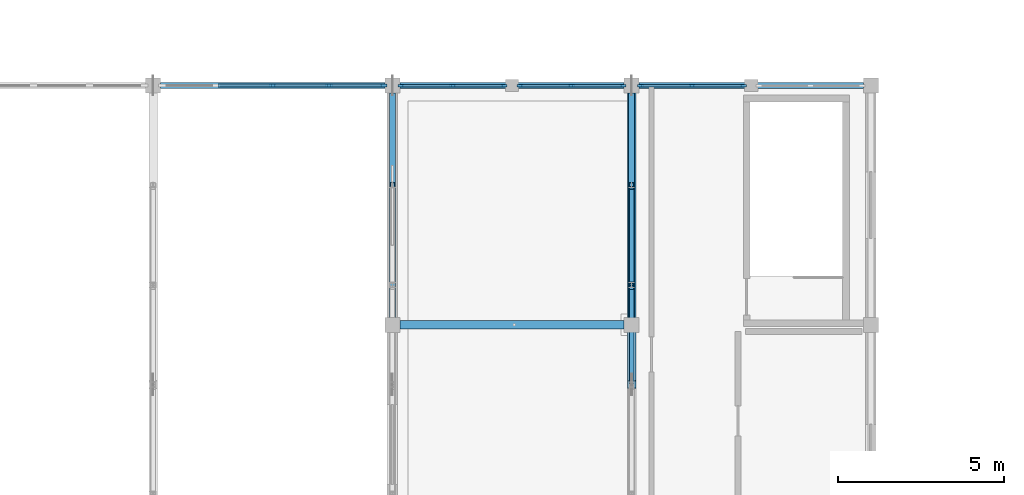
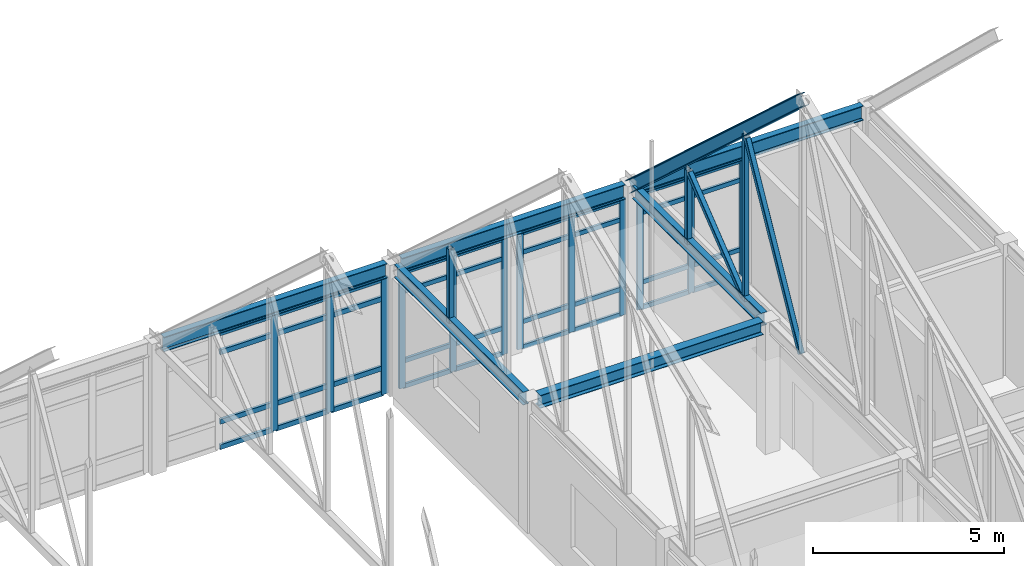
# One storey, part 49 of 136: 54 members, 6 beams, 4 elements without a shape of their own.
"""IFC4 building model written with IfcOpenShell, lengths in metres."""

from ifc_helpers import new_model, si_unit, direction, frame, origin, origin_2d, place, context, subcontext, project, spatial, rectangle, hollow_rectangle, i_section, extrude, material, layer, layer_set, material_profile, profile_set, type_object, element, aggregate, save


model = new_model("IFC4")

# Units and contexts
model_context = context("Model", 3, precision=1e-05, world=origin(), true_north=direction((0.0, 1.0)))
body_context = subcontext(model_context, "Body", "Model", "MODEL_VIEW")
ifc_project = project(units=[si_unit("LENGTHUNIT", "METRE"), si_unit("AREAUNIT", "SQUARE_METRE"), si_unit("VOLUMEUNIT", "CUBIC_METRE"), si_unit("PLANEANGLEUNIT", "RADIAN"), si_unit("MASSUNIT", "GRAM", prefix="KILO")], contexts=[model_context])

# Site, building, storey
site_placement = place(None, origin())
site = spatial("IfcSite", under=ifc_project, at=site_placement, CompositionType="ELEMENT")
building_placement = place(site_placement, origin())
building = spatial("IfcBuilding", under=site, at=building_placement, Name="Koriwan Promenade Central Fire Station", CompositionType="ELEMENT")
storey_placement = place(building_placement, frame((0.0, 0.0, 5.39990234375)))
storey = spatial("IfcBuildingStorey", under=building, at=storey_placement, Name="L01", CompositionType="ELEMENT", Elevation=5.39990234375)

# Curtain wall, members
ifc_material_1 = material(Name="Aluminium EN AW-6063-T6 and low-E glazing", Category="aluminium")
ifc_layer_1 = layer(ifc_material_1, 0.159912109375, Name="Aluminium EN AW-6063-T6 and low-E glazing")
ifc_layer_set_1 = layer_set([ifc_layer_1], Name="Aluminium EN AW-6063-T6 and low-E glazing")
curtain_wall_type_1 = type_object("IfcCurtainWallType", Name="CurtainWall_01_317x372", PredefinedType="USERDEFINED", material=ifc_layer_set_1)
curtain_wall_1_placement = place(storey_placement, origin())
curtain_wall_1 = element("IfcCurtainWall", 1, at=curtain_wall_1_placement, inside=storey, type_object=curtain_wall_type_1, Name="V1 L01 unitised curtain wall 005", ObjectType="UNITISED CURTAIN WALL", PredefinedType="USERDEFINED")
ifc_material_2 = material(Name="Aluminium EN AW-6063-T6", Category="aluminium")
ifc_material_profile_1 = material_profile(ifc_material_2, rectangle(XDim=0.074951171875, YDim=0.179931640625, at=origin_2d()), Name="ALU-MUL-75x180")
ifc_profile_set_1 = profile_set([ifc_material_profile_1], Name="Aluminium EN AW-6063-T6")
member_type_1 = type_object("IfcMemberType", Name="CWMullion_ALU-MUL-75x180", PredefinedType="MULLION", material=ifc_profile_set_1)
member_1_placement = place(storey_placement, frame((101.0625, 72.0, 0.0), z_axis=(0.0, 0.0, 1.0), x_axis=(0.0, 1.0, 0.0)))
member_1 = element("IfcMember", 2, at=member_1_placement, type_object=member_type_1, Name="CW-01 mullion 1", PredefinedType="MULLION", context=body_context, shape_type="SweptSolid", body=[
    extrude(rectangle(XDim=0.074951171875, YDim=0.179931640625, at=origin_2d()), origin(), (0.0, 0.0, 1.0), 3.72119140625),
])
member_2_placement = place(storey_placement, frame((102.612548828125, 72.0, 0.0), z_axis=(0.0, 0.0, 1.0), x_axis=(0.0, 1.0, 0.0)))
member_2 = element("IfcMember", 3, at=member_2_placement, type_object=member_type_1, Name="CW-01 mullion 2", PredefinedType="MULLION", context=body_context, shape_type="SweptSolid", body=[
    extrude(rectangle(XDim=0.074951171875, YDim=0.179931640625, at=origin_2d()), origin(), (0.0, 0.0, 1.0), 3.72119140625),
])
member_3_placement = place(storey_placement, frame((104.16259765625, 72.0, 0.0), z_axis=(0.0, 0.0, 1.0), x_axis=(0.0, 1.0, 0.0)))
member_3 = element("IfcMember", 4, at=member_3_placement, type_object=member_type_1, Name="CW-01 mullion 3", PredefinedType="MULLION", context=body_context, shape_type="SweptSolid", body=[
    extrude(rectangle(XDim=0.074951171875, YDim=0.179931640625, at=origin_2d()), origin(), (0.0, 0.0, 1.0), 3.72119140625),
])

ifc_layer_2 = layer(ifc_material_1, 0.159912109375, Name="Aluminium EN AW-6063-T6 and low-E glazing")
ifc_layer_set_2 = layer_set([ifc_layer_2], Name="Aluminium EN AW-6063-T6 and low-E glazing")
curtain_wall_type_2 = type_object("IfcCurtainWallType", Name="CurtainWall_02_318x372", PredefinedType="USERDEFINED", material=ifc_layer_set_2)
curtain_wall_2_placement = place(storey_placement, origin())
curtain_wall_2 = element("IfcCurtainWall", 5, at=curtain_wall_2_placement, inside=storey, type_object=curtain_wall_type_2, Name="V1 L01 unitised curtain wall 006", ObjectType="UNITISED CURTAIN WALL", PredefinedType="USERDEFINED")
member_4_placement = place(storey_placement, frame((104.637451171875, 72.0, 0.0), z_axis=(0.0, 0.0, 1.0), x_axis=(0.0, 1.0, 0.0)))
member_4 = element("IfcMember", 6, at=member_4_placement, type_object=member_type_1, Name="CW-02 mullion 1", PredefinedType="MULLION", context=body_context, shape_type="SweptSolid", body=[
    extrude(rectangle(XDim=0.074951171875, YDim=0.179931640625, at=origin_2d()), origin(), (0.0, 0.0, 1.0), 3.72119140625),
])
member_5_placement = place(storey_placement, frame((106.1875, 72.0, 0.0), z_axis=(0.0, 0.0, 1.0), x_axis=(0.0, 1.0, 0.0)))
member_5 = element("IfcMember", 7, at=member_5_placement, type_object=member_type_1, Name="CW-02 mullion 2", PredefinedType="MULLION", context=body_context, shape_type="SweptSolid", body=[
    extrude(rectangle(XDim=0.074951171875, YDim=0.179931640625, at=origin_2d()), origin(), (0.0, 0.0, 1.0), 3.72119140625),
])
member_6_placement = place(storey_placement, frame((107.737548828125, 72.0, 0.0), z_axis=(0.0, 0.0, 1.0), x_axis=(0.0, 1.0, 0.0)))
member_6 = element("IfcMember", 8, at=member_6_placement, type_object=member_type_1, Name="CW-02 mullion 3", PredefinedType="MULLION", context=body_context, shape_type="SweptSolid", body=[
    extrude(rectangle(XDim=0.074951171875, YDim=0.179931640625, at=origin_2d()), origin(), (0.0, 0.0, 1.0), 3.72119140625),
])

curtain_wall_3_placement = place(storey_placement, origin())
curtain_wall_3 = element("IfcCurtainWall", 9, at=curtain_wall_3_placement, inside=storey, type_object=curtain_wall_type_2, Name="V1 L01 unitised curtain wall 007", ObjectType="UNITISED CURTAIN WALL", PredefinedType="USERDEFINED")
member_7_placement = place(storey_placement, frame((108.262451171875, 72.0, 0.0), z_axis=(0.0, 0.0, 1.0), x_axis=(0.0, 1.0, 0.0)))
member_7 = element("IfcMember", 10, at=member_7_placement, type_object=member_type_1, Name="CW-02 mullion 1", PredefinedType="MULLION", context=body_context, shape_type="SweptSolid", body=[
    extrude(rectangle(XDim=0.074951171875, YDim=0.179931640625, at=origin_2d()), origin(), (0.0, 0.0, 1.0), 3.72119140625),
])
member_8_placement = place(storey_placement, frame((109.8125, 72.0, 0.0), z_axis=(0.0, 0.0, 1.0), x_axis=(0.0, 1.0, 0.0)))
member_8 = element("IfcMember", 11, at=member_8_placement, type_object=member_type_1, Name="CW-02 mullion 2", PredefinedType="MULLION", context=body_context, shape_type="SweptSolid", body=[
    extrude(rectangle(XDim=0.074951171875, YDim=0.179931640625, at=origin_2d()), origin(), (0.0, 0.0, 1.0), 3.72119140625),
])
member_9_placement = place(storey_placement, frame((111.362548828125, 72.0, 0.0), z_axis=(0.0, 0.0, 1.0), x_axis=(0.0, 1.0, 0.0)))
member_9 = element("IfcMember", 12, at=member_9_placement, type_object=member_type_1, Name="CW-02 mullion 3", PredefinedType="MULLION", context=body_context, shape_type="SweptSolid", body=[
    extrude(rectangle(XDim=0.074951171875, YDim=0.179931640625, at=origin_2d()), origin(), (0.0, 0.0, 1.0), 3.72119140625),
])

ifc_layer_3 = layer(ifc_material_1, 0.159912109375, Name="Aluminium EN AW-6063-T6 and low-E glazing")
ifc_layer_set_3 = layer_set([ifc_layer_3], Name="Aluminium EN AW-6063-T6 and low-E glazing")
curtain_wall_type_3 = type_object("IfcCurtainWallType", Name="CurtainWall_93_675x372", PredefinedType="USERDEFINED", material=ifc_layer_set_3)
curtain_wall_4_placement = place(storey_placement, origin())
curtain_wall_4 = element("IfcCurtainWall", 13, at=curtain_wall_4_placement, inside=storey, type_object=curtain_wall_type_3, Name="V1 L01 unitised curtain wall 298", ObjectType="UNITISED CURTAIN WALL", PredefinedType="USERDEFINED")
ifc_material_profile_2 = material_profile(ifc_material_2, rectangle(XDim=0.080078125, YDim=0.2099609375, at=origin_2d()), Name="ALU-MUL-80x210")
ifc_profile_set_2 = profile_set([ifc_material_profile_2], Name="Aluminium EN AW-6063-T6")
member_type_2 = type_object("IfcMemberType", Name="CWMullion_ALU-MUL-80x210", PredefinedType="MULLION", material=ifc_profile_set_2)
member_10_placement = place(storey_placement, frame((97.199951171875, 72.0, 0.0), z_axis=(0.0, 0.0, 1.0), x_axis=(0.0, 1.0, 0.0)))
member_10 = element("IfcMember", 14, at=member_10_placement, type_object=member_type_2, Name="CW-93 mullion 3", PredefinedType="MULLION", context=body_context, shape_type="SweptSolid", body=[
    extrude(rectangle(XDim=0.080078125, YDim=0.2099609375, at=origin_2d()), origin(), (0.0, 0.0, 1.0), 3.72119140625),
])
member_11_placement = place(storey_placement, frame((98.887451171875, 72.0, 0.0), z_axis=(0.0, 0.0, 1.0), x_axis=(0.0, 1.0, 0.0)))
member_11 = element("IfcMember", 15, at=member_11_placement, type_object=member_type_2, Name="CW-93 mullion 4", PredefinedType="MULLION", context=body_context, shape_type="SweptSolid", body=[
    extrude(rectangle(XDim=0.080078125, YDim=0.2099609375, at=origin_2d()), origin(), (0.0, 0.0, 1.0), 3.72119140625),
])
member_12_placement = place(storey_placement, frame((100.534912109375, 72.0, 0.0), z_axis=(0.0, 0.0, 1.0), x_axis=(0.0, 1.0, 0.0)))
member_12 = element("IfcMember", 16, at=member_12_placement, type_object=member_type_2, Name="CW-93 mullion 5", PredefinedType="MULLION", context=body_context, shape_type="SweptSolid", body=[
    extrude(rectangle(XDim=0.080078125, YDim=0.2099609375, at=origin_2d()), origin(), (0.0, 0.0, 1.0), 3.72119140625),
])

# Member
ifc_material_profile_3 = material_profile(ifc_material_2, rectangle(XDim=0.074951171875, YDim=0.139892578125, at=origin_2d()), Name="ALU-TRN-75x140")
ifc_profile_set_3 = profile_set([ifc_material_profile_3], Name="Aluminium EN AW-6063-T6")
member_type_3 = type_object("IfcMemberType", Name="CWTransom_ALU-TRN-75x140", PredefinedType="USERDEFINED", material=ifc_profile_set_3)
member_13_placement = place(storey_placement, frame((101.10009765625, 72.0, 0.03759765625), z_axis=(1.0, 0.0, 0.0), x_axis=(0.0, 1.0, 0.0)))
member_13 = element("IfcMember", 17, at=member_13_placement, type_object=member_type_3, Name="CW-01 transom 1.1", ObjectType="TRANSOM", PredefinedType="USERDEFINED", context=body_context, shape_type="SweptSolid", body=[
    extrude(rectangle(XDim=0.074951171875, YDim=0.139892578125, at=origin_2d()), origin(), (0.0, 0.0, 1.0), 1.474853515625),
])

member_14_placement = place(storey_placement, frame((101.10009765625, 72.0, 0.85009765625), z_axis=(1.0, 0.0, 0.0), x_axis=(0.0, 1.0, 0.0)))
member_14 = element("IfcMember", 18, at=member_14_placement, type_object=member_type_3, Name="CW-01 transom 1.2", ObjectType="TRANSOM", PredefinedType="USERDEFINED", context=body_context, shape_type="SweptSolid", body=[
    extrude(rectangle(XDim=0.074951171875, YDim=0.139892578125, at=origin_2d()), origin(), (0.0, 0.0, 1.0), 1.474853515625),
])

member_15_placement = place(storey_placement, frame((101.10009765625, 72.0, 3.071044921875), z_axis=(1.0, 0.0, 0.0), x_axis=(0.0, 1.0, 0.0)))
member_15 = element("IfcMember", 19, at=member_15_placement, type_object=member_type_3, Name="CW-01 transom 1.3", ObjectType="TRANSOM", PredefinedType="USERDEFINED", context=body_context, shape_type="SweptSolid", body=[
    extrude(rectangle(XDim=0.074951171875, YDim=0.139892578125, at=origin_2d()), origin(), (0.0, 0.0, 1.0), 1.474853515625),
])

member_16_placement = place(storey_placement, frame((101.10009765625, 72.0, 3.68359375), z_axis=(1.0, 0.0, 0.0), x_axis=(0.0, 1.0, 0.0)))
member_16 = element("IfcMember", 20, at=member_16_placement, type_object=member_type_3, Name="CW-01 transom 1.4", ObjectType="TRANSOM", PredefinedType="USERDEFINED", context=body_context, shape_type="SweptSolid", body=[
    extrude(rectangle(XDim=0.074951171875, YDim=0.139892578125, at=origin_2d()), origin(), (0.0, 0.0, 1.0), 1.474853515625),
])

member_17_placement = place(storey_placement, frame((102.64990234375, 72.0, 0.03759765625), z_axis=(1.0, 0.0, 0.0), x_axis=(0.0, 1.0, 0.0)))
member_17 = element("IfcMember", 21, at=member_17_placement, type_object=member_type_3, Name="CW-01 transom 2.1", ObjectType="TRANSOM", PredefinedType="USERDEFINED", context=body_context, shape_type="SweptSolid", body=[
    extrude(rectangle(XDim=0.074951171875, YDim=0.139892578125, at=origin_2d()), origin(), (0.0, 0.0, 1.0), 1.47509765625),
])

member_18_placement = place(storey_placement, frame((102.64990234375, 72.0, 0.85009765625), z_axis=(1.0, 0.0, 0.0), x_axis=(0.0, 1.0, 0.0)))
member_18 = element("IfcMember", 22, at=member_18_placement, type_object=member_type_3, Name="CW-01 transom 2.2", ObjectType="TRANSOM", PredefinedType="USERDEFINED", context=body_context, shape_type="SweptSolid", body=[
    extrude(rectangle(XDim=0.074951171875, YDim=0.139892578125, at=origin_2d()), origin(), (0.0, 0.0, 1.0), 1.47509765625),
])

member_19_placement = place(storey_placement, frame((102.64990234375, 72.0, 3.071044921875), z_axis=(1.0, 0.0, 0.0), x_axis=(0.0, 1.0, 0.0)))
member_19 = element("IfcMember", 23, at=member_19_placement, type_object=member_type_3, Name="CW-01 transom 2.3", ObjectType="TRANSOM", PredefinedType="USERDEFINED", context=body_context, shape_type="SweptSolid", body=[
    extrude(rectangle(XDim=0.074951171875, YDim=0.139892578125, at=origin_2d()), origin(), (0.0, 0.0, 1.0), 1.47509765625),
])

member_20_placement = place(storey_placement, frame((102.64990234375, 72.0, 3.68359375), z_axis=(1.0, 0.0, 0.0), x_axis=(0.0, 1.0, 0.0)))
member_20 = element("IfcMember", 24, at=member_20_placement, type_object=member_type_3, Name="CW-01 transom 2.4", ObjectType="TRANSOM", PredefinedType="USERDEFINED", context=body_context, shape_type="SweptSolid", body=[
    extrude(rectangle(XDim=0.074951171875, YDim=0.139892578125, at=origin_2d()), origin(), (0.0, 0.0, 1.0), 1.47509765625),
])

aggregate(curtain_wall_1, [member_1, member_2, member_3, member_13, member_14, member_15, member_16, member_17, member_18, member_19, member_20])

member_21_placement = place(storey_placement, frame((104.675048828125, 72.0, 0.03759765625), z_axis=(1.0, 0.0, 0.0), x_axis=(0.0, 1.0, 0.0)))
member_21 = element("IfcMember", 25, at=member_21_placement, type_object=member_type_3, Name="CW-02 transom 1.1", ObjectType="TRANSOM", PredefinedType="USERDEFINED", context=body_context, shape_type="SweptSolid", body=[
    extrude(rectangle(XDim=0.074951171875, YDim=0.139892578125, at=origin_2d()), origin(), (0.0, 0.0, 1.0), 1.474853515625),
])

member_22_placement = place(storey_placement, frame((104.675048828125, 72.0, 0.85009765625), z_axis=(1.0, 0.0, 0.0), x_axis=(0.0, 1.0, 0.0)))
member_22 = element("IfcMember", 26, at=member_22_placement, type_object=member_type_3, Name="CW-02 transom 1.2", ObjectType="TRANSOM", PredefinedType="USERDEFINED", context=body_context, shape_type="SweptSolid", body=[
    extrude(rectangle(XDim=0.074951171875, YDim=0.139892578125, at=origin_2d()), origin(), (0.0, 0.0, 1.0), 1.474853515625),
])

member_23_placement = place(storey_placement, frame((104.675048828125, 72.0, 3.071044921875), z_axis=(1.0, 0.0, 0.0), x_axis=(0.0, 1.0, 0.0)))
member_23 = element("IfcMember", 27, at=member_23_placement, type_object=member_type_3, Name="CW-02 transom 1.3", ObjectType="TRANSOM", PredefinedType="USERDEFINED", context=body_context, shape_type="SweptSolid", body=[
    extrude(rectangle(XDim=0.074951171875, YDim=0.139892578125, at=origin_2d()), origin(), (0.0, 0.0, 1.0), 1.474853515625),
])

member_24_placement = place(storey_placement, frame((104.675048828125, 72.0, 3.68359375), z_axis=(1.0, 0.0, 0.0), x_axis=(0.0, 1.0, 0.0)))
member_24 = element("IfcMember", 28, at=member_24_placement, type_object=member_type_3, Name="CW-02 transom 1.4", ObjectType="TRANSOM", PredefinedType="USERDEFINED", context=body_context, shape_type="SweptSolid", body=[
    extrude(rectangle(XDim=0.074951171875, YDim=0.139892578125, at=origin_2d()), origin(), (0.0, 0.0, 1.0), 1.474853515625),
])

member_25_placement = place(storey_placement, frame((106.22509765625, 72.0, 0.03759765625), z_axis=(1.0, 0.0, 0.0), x_axis=(0.0, 1.0, 0.0)))
member_25 = element("IfcMember", 29, at=member_25_placement, type_object=member_type_3, Name="CW-02 transom 2.1", ObjectType="TRANSOM", PredefinedType="USERDEFINED", context=body_context, shape_type="SweptSolid", body=[
    extrude(rectangle(XDim=0.074951171875, YDim=0.139892578125, at=origin_2d()), origin(), (0.0, 0.0, 1.0), 1.474853515625),
])

member_26_placement = place(storey_placement, frame((106.22509765625, 72.0, 0.85009765625), z_axis=(1.0, 0.0, 0.0), x_axis=(0.0, 1.0, 0.0)))
member_26 = element("IfcMember", 30, at=member_26_placement, type_object=member_type_3, Name="CW-02 transom 2.2", ObjectType="TRANSOM", PredefinedType="USERDEFINED", context=body_context, shape_type="SweptSolid", body=[
    extrude(rectangle(XDim=0.074951171875, YDim=0.139892578125, at=origin_2d()), origin(), (0.0, 0.0, 1.0), 1.474853515625),
])

member_27_placement = place(storey_placement, frame((106.22509765625, 72.0, 3.071044921875), z_axis=(1.0, 0.0, 0.0), x_axis=(0.0, 1.0, 0.0)))
member_27 = element("IfcMember", 31, at=member_27_placement, type_object=member_type_3, Name="CW-02 transom 2.3", ObjectType="TRANSOM", PredefinedType="USERDEFINED", context=body_context, shape_type="SweptSolid", body=[
    extrude(rectangle(XDim=0.074951171875, YDim=0.139892578125, at=origin_2d()), origin(), (0.0, 0.0, 1.0), 1.474853515625),
])

member_28_placement = place(storey_placement, frame((106.22509765625, 72.0, 3.68359375), z_axis=(1.0, 0.0, 0.0), x_axis=(0.0, 1.0, 0.0)))
member_28 = element("IfcMember", 32, at=member_28_placement, type_object=member_type_3, Name="CW-02 transom 2.4", ObjectType="TRANSOM", PredefinedType="USERDEFINED", context=body_context, shape_type="SweptSolid", body=[
    extrude(rectangle(XDim=0.074951171875, YDim=0.139892578125, at=origin_2d()), origin(), (0.0, 0.0, 1.0), 1.474853515625),
])

aggregate(curtain_wall_2, [member_4, member_5, member_6, member_21, member_22, member_23, member_24, member_25, member_26, member_27, member_28])

member_29_placement = place(storey_placement, frame((108.300048828125, 72.0, 0.03759765625), z_axis=(1.0, 0.0, 0.0), x_axis=(0.0, 1.0, 0.0)))
member_29 = element("IfcMember", 33, at=member_29_placement, type_object=member_type_3, Name="CW-02 transom 1.1", ObjectType="TRANSOM", PredefinedType="USERDEFINED", context=body_context, shape_type="SweptSolid", body=[
    extrude(rectangle(XDim=0.074951171875, YDim=0.139892578125, at=origin_2d()), origin(), (0.0, 0.0, 1.0), 1.474853515625),
])

member_30_placement = place(storey_placement, frame((108.300048828125, 72.0, 0.85009765625), z_axis=(1.0, 0.0, 0.0), x_axis=(0.0, 1.0, 0.0)))
member_30 = element("IfcMember", 34, at=member_30_placement, type_object=member_type_3, Name="CW-02 transom 1.2", ObjectType="TRANSOM", PredefinedType="USERDEFINED", context=body_context, shape_type="SweptSolid", body=[
    extrude(rectangle(XDim=0.074951171875, YDim=0.139892578125, at=origin_2d()), origin(), (0.0, 0.0, 1.0), 1.474853515625),
])

member_31_placement = place(storey_placement, frame((108.300048828125, 72.0, 3.071044921875), z_axis=(1.0, 0.0, 0.0), x_axis=(0.0, 1.0, 0.0)))
member_31 = element("IfcMember", 35, at=member_31_placement, type_object=member_type_3, Name="CW-02 transom 1.3", ObjectType="TRANSOM", PredefinedType="USERDEFINED", context=body_context, shape_type="SweptSolid", body=[
    extrude(rectangle(XDim=0.074951171875, YDim=0.139892578125, at=origin_2d()), origin(), (0.0, 0.0, 1.0), 1.474853515625),
])

member_32_placement = place(storey_placement, frame((108.300048828125, 72.0, 3.68359375), z_axis=(1.0, 0.0, 0.0), x_axis=(0.0, 1.0, 0.0)))
member_32 = element("IfcMember", 36, at=member_32_placement, type_object=member_type_3, Name="CW-02 transom 1.4", ObjectType="TRANSOM", PredefinedType="USERDEFINED", context=body_context, shape_type="SweptSolid", body=[
    extrude(rectangle(XDim=0.074951171875, YDim=0.139892578125, at=origin_2d()), origin(), (0.0, 0.0, 1.0), 1.474853515625),
])

member_33_placement = place(storey_placement, frame((109.85009765625, 72.0, 0.03759765625), z_axis=(1.0, 0.0, 0.0), x_axis=(0.0, 1.0, 0.0)))
member_33 = element("IfcMember", 37, at=member_33_placement, type_object=member_type_3, Name="CW-02 transom 2.1", ObjectType="TRANSOM", PredefinedType="USERDEFINED", context=body_context, shape_type="SweptSolid", body=[
    extrude(rectangle(XDim=0.074951171875, YDim=0.139892578125, at=origin_2d()), origin(), (0.0, 0.0, 1.0), 1.474853515625),
])

member_34_placement = place(storey_placement, frame((109.85009765625, 72.0, 0.85009765625), z_axis=(1.0, 0.0, 0.0), x_axis=(0.0, 1.0, 0.0)))
member_34 = element("IfcMember", 38, at=member_34_placement, type_object=member_type_3, Name="CW-02 transom 2.2", ObjectType="TRANSOM", PredefinedType="USERDEFINED", context=body_context, shape_type="SweptSolid", body=[
    extrude(rectangle(XDim=0.074951171875, YDim=0.139892578125, at=origin_2d()), origin(), (0.0, 0.0, 1.0), 1.474853515625),
])

member_35_placement = place(storey_placement, frame((109.85009765625, 72.0, 3.071044921875), z_axis=(1.0, 0.0, 0.0), x_axis=(0.0, 1.0, 0.0)))
member_35 = element("IfcMember", 39, at=member_35_placement, type_object=member_type_3, Name="CW-02 transom 2.3", ObjectType="TRANSOM", PredefinedType="USERDEFINED", context=body_context, shape_type="SweptSolid", body=[
    extrude(rectangle(XDim=0.074951171875, YDim=0.139892578125, at=origin_2d()), origin(), (0.0, 0.0, 1.0), 1.474853515625),
])

member_36_placement = place(storey_placement, frame((109.85009765625, 72.0, 3.68359375), z_axis=(1.0, 0.0, 0.0), x_axis=(0.0, 1.0, 0.0)))
member_36 = element("IfcMember", 40, at=member_36_placement, type_object=member_type_3, Name="CW-02 transom 2.4", ObjectType="TRANSOM", PredefinedType="USERDEFINED", context=body_context, shape_type="SweptSolid", body=[
    extrude(rectangle(XDim=0.074951171875, YDim=0.139892578125, at=origin_2d()), origin(), (0.0, 0.0, 1.0), 1.474853515625),
])

aggregate(curtain_wall_3, [member_7, member_8, member_9, member_29, member_30, member_31, member_32, member_33, member_34, member_35, member_36])

ifc_material_profile_4 = material_profile(ifc_material_2, rectangle(XDim=0.080078125, YDim=0.155029296875, at=origin_2d()), Name="ALU-TRN-80x155")
ifc_profile_set_4 = profile_set([ifc_material_profile_4], Name="Aluminium EN AW-6063-T6")
member_type_4 = type_object("IfcMemberType", Name="CWTransom_ALU-TRN-80x155", PredefinedType="USERDEFINED", material=ifc_profile_set_4)
member_37_placement = place(storey_placement, frame((95.552490234375, 72.0, 0.0400390625), z_axis=(1.0, 0.0, 0.0), x_axis=(0.0, 1.0, 0.0)))
member_37 = element("IfcMember", 41, at=member_37_placement, type_object=member_type_4, Name="CW-93 transom 2.1", ObjectType="TRANSOM", PredefinedType="USERDEFINED", context=body_context, shape_type="SweptSolid", body=[
    extrude(rectangle(XDim=0.080078125, YDim=0.155029296875, at=origin_2d()), origin(), (0.0, 0.0, 1.0), 1.607421875),
])

member_38_placement = place(storey_placement, frame((95.552490234375, 72.0, 0.85009765625), z_axis=(1.0, 0.0, 0.0), x_axis=(0.0, 1.0, 0.0)))
member_38 = element("IfcMember", 42, at=member_38_placement, type_object=member_type_4, Name="CW-93 transom 2.2", ObjectType="TRANSOM", PredefinedType="USERDEFINED", context=body_context, shape_type="SweptSolid", body=[
    extrude(rectangle(XDim=0.080078125, YDim=0.155029296875, at=origin_2d()), origin(), (0.0, 0.0, 1.0), 1.607421875),
])

member_39_placement = place(storey_placement, frame((95.552490234375, 72.0, 3.071044921875), z_axis=(1.0, 0.0, 0.0), x_axis=(0.0, 1.0, 0.0)))
member_39 = element("IfcMember", 43, at=member_39_placement, type_object=member_type_4, Name="CW-93 transom 2.3", ObjectType="TRANSOM", PredefinedType="USERDEFINED", context=body_context, shape_type="SweptSolid", body=[
    extrude(rectangle(XDim=0.080078125, YDim=0.155029296875, at=origin_2d()), origin(), (0.0, 0.0, 1.0), 1.607421875),
])

member_40_placement = place(storey_placement, frame((95.552490234375, 72.0, 3.68115234375), z_axis=(1.0, 0.0, 0.0), x_axis=(0.0, 1.0, 0.0)))
member_40 = element("IfcMember", 44, at=member_40_placement, type_object=member_type_4, Name="CW-93 transom 2.4", ObjectType="TRANSOM", PredefinedType="USERDEFINED", context=body_context, shape_type="SweptSolid", body=[
    extrude(rectangle(XDim=0.080078125, YDim=0.155029296875, at=origin_2d()), origin(), (0.0, 0.0, 1.0), 1.607421875),
])

member_41_placement = place(storey_placement, frame((97.239990234375, 72.0, 0.0400390625), z_axis=(1.0, 0.0, 0.0), x_axis=(0.0, 1.0, 0.0)))
member_41 = element("IfcMember", 45, at=member_41_placement, type_object=member_type_4, Name="CW-93 transom 3.1", ObjectType="TRANSOM", PredefinedType="USERDEFINED", context=body_context, shape_type="SweptSolid", body=[
    extrude(rectangle(XDim=0.080078125, YDim=0.155029296875, at=origin_2d()), origin(), (0.0, 0.0, 1.0), 1.607421875),
])

member_42_placement = place(storey_placement, frame((97.239990234375, 72.0, 0.85009765625), z_axis=(1.0, 0.0, 0.0), x_axis=(0.0, 1.0, 0.0)))
member_42 = element("IfcMember", 46, at=member_42_placement, type_object=member_type_4, Name="CW-93 transom 3.2", ObjectType="TRANSOM", PredefinedType="USERDEFINED", context=body_context, shape_type="SweptSolid", body=[
    extrude(rectangle(XDim=0.080078125, YDim=0.155029296875, at=origin_2d()), origin(), (0.0, 0.0, 1.0), 1.607421875),
])

member_43_placement = place(storey_placement, frame((97.239990234375, 72.0, 3.071044921875), z_axis=(1.0, 0.0, 0.0), x_axis=(0.0, 1.0, 0.0)))
member_43 = element("IfcMember", 47, at=member_43_placement, type_object=member_type_4, Name="CW-93 transom 3.3", ObjectType="TRANSOM", PredefinedType="USERDEFINED", context=body_context, shape_type="SweptSolid", body=[
    extrude(rectangle(XDim=0.080078125, YDim=0.155029296875, at=origin_2d()), origin(), (0.0, 0.0, 1.0), 1.607421875),
])

member_44_placement = place(storey_placement, frame((97.239990234375, 72.0, 3.68115234375), z_axis=(1.0, 0.0, 0.0), x_axis=(0.0, 1.0, 0.0)))
member_44 = element("IfcMember", 48, at=member_44_placement, type_object=member_type_4, Name="CW-93 transom 3.4", ObjectType="TRANSOM", PredefinedType="USERDEFINED", context=body_context, shape_type="SweptSolid", body=[
    extrude(rectangle(XDim=0.080078125, YDim=0.155029296875, at=origin_2d()), origin(), (0.0, 0.0, 1.0), 1.607421875),
])

member_45_placement = place(storey_placement, frame((98.927490234375, 72.0, 0.0400390625), z_axis=(1.0, 0.0, 0.0), x_axis=(0.0, 1.0, 0.0)))
member_45 = element("IfcMember", 49, at=member_45_placement, type_object=member_type_4, Name="CW-93 transom 4.1", ObjectType="TRANSOM", PredefinedType="USERDEFINED", context=body_context, shape_type="SweptSolid", body=[
    extrude(rectangle(XDim=0.080078125, YDim=0.155029296875, at=origin_2d()), origin(), (0.0, 0.0, 1.0), 1.567626953125),
])

member_46_placement = place(storey_placement, frame((98.927490234375, 72.0, 0.85009765625), z_axis=(1.0, 0.0, 0.0), x_axis=(0.0, 1.0, 0.0)))
member_46 = element("IfcMember", 50, at=member_46_placement, type_object=member_type_4, Name="CW-93 transom 4.2", ObjectType="TRANSOM", PredefinedType="USERDEFINED", context=body_context, shape_type="SweptSolid", body=[
    extrude(rectangle(XDim=0.080078125, YDim=0.155029296875, at=origin_2d()), origin(), (0.0, 0.0, 1.0), 1.567626953125),
])

member_47_placement = place(storey_placement, frame((98.927490234375, 72.0, 3.071044921875), z_axis=(1.0, 0.0, 0.0), x_axis=(0.0, 1.0, 0.0)))
member_47 = element("IfcMember", 51, at=member_47_placement, type_object=member_type_4, Name="CW-93 transom 4.3", ObjectType="TRANSOM", PredefinedType="USERDEFINED", context=body_context, shape_type="SweptSolid", body=[
    extrude(rectangle(XDim=0.080078125, YDim=0.155029296875, at=origin_2d()), origin(), (0.0, 0.0, 1.0), 1.567626953125),
])

member_48_placement = place(storey_placement, frame((98.927490234375, 72.0, 3.68115234375), z_axis=(1.0, 0.0, 0.0), x_axis=(0.0, 1.0, 0.0)))
member_48 = element("IfcMember", 52, at=member_48_placement, type_object=member_type_4, Name="CW-93 transom 4.4", ObjectType="TRANSOM", PredefinedType="USERDEFINED", context=body_context, shape_type="SweptSolid", body=[
    extrude(rectangle(XDim=0.080078125, YDim=0.155029296875, at=origin_2d()), origin(), (0.0, 0.0, 1.0), 1.567626953125),
])

aggregate(curtain_wall_4, [member_10, member_11, member_12, member_37, member_38, member_39, member_40, member_41, member_42, member_43, member_44, member_45, member_46, member_47, member_48])

# Members
ifc_material_3 = material(Name="Steel ASTM A992 Grade 50", Category="steel")
ifc_material_profile_5 = material_profile(ifc_material_3, i_section(OverallWidth=0.257080078125, OverallDepth=0.363037109375, WebThickness=0.012939453125, FlangeThickness=0.021728515625, FilletRadius=0.014892578125, at=origin_2d()), Name="W360x122")
ifc_profile_set_5 = profile_set([ifc_material_profile_5], Name="Steel ASTM A992 Grade 50")
member_type_5 = type_object("IfcMemberType", Name="Member_CHORD_W360x122", PredefinedType="CHORD", material=ifc_profile_set_5)
member_49_placement = place(storey_placement, frame((108.0, 63.0, 12.240478515625), z_axis=(0.0, 0.738360163823, -0.674406604712), x_axis=(-1.0, 0.0, 0.0)))
element("IfcMember", 53, at=member_49_placement, inside=storey, type_object=member_type_5, Name="TR_V1_08 north top chord", PredefinedType="CHORD", context=body_context, shape_type="SweptSolid", body=[
    extrude(i_section(OverallWidth=0.257080078125, OverallDepth=0.363037109375, WebThickness=0.012939453125, FlangeThickness=0.021728515625, FilletRadius=0.014892578125, at=origin_2d()), origin(), (0.0, 0.0, 1.0), 12.189208984375),
])
ifc_material_4 = material(Name="Steel ASTM A500 Grade C", Category="steel")
ifc_material_profile_6 = material_profile(ifc_material_4, hollow_rectangle(XDim=0.14990234375, YDim=0.14990234375, WallThickness=0.008056640625, InnerFilletRadius=0.008056640625, OuterFilletRadius=0.01611328125, at=origin_2d()), Name="HSS150x150x8")
ifc_profile_set_6 = profile_set([ifc_material_profile_6], Name="Steel ASTM A500 Grade C")
member_type_6 = type_object("IfcMemberType", Name="Member_STRUT_HSS150x150x8", PredefinedType="STRUT", material=ifc_profile_set_6)
member_50_placement = place(storey_placement, frame((100.800048828125, 69.0, 4.02001953125), z_axis=(0.0, 0.0, 1.0), x_axis=(1.0, 0.0, 0.0)))
element("IfcMember", 54, at=member_50_placement, inside=storey, type_object=member_type_6, Name="TR_V1_07 vertical 8", PredefinedType="STRUT", context=body_context, shape_type="SweptSolid", body=[
    extrude(hollow_rectangle(XDim=0.14990234375, YDim=0.14990234375, WallThickness=0.008056640625, InnerFilletRadius=0.008056640625, OuterFilletRadius=0.01611328125, at=origin_2d()), origin(), (0.0, 0.0, 1.0), 2.353759765625),
])
member_51_placement = place(storey_placement, frame((108.0, 66.0, 4.02001953125), z_axis=(0.0, 0.0, 1.0), x_axis=(1.0, 0.0, 0.0)))
element("IfcMember", 55, at=member_51_placement, inside=storey, type_object=member_type_6, Name="TR_V1_08 vertical 7", PredefinedType="STRUT", context=body_context, shape_type="SweptSolid", body=[
    extrude(hollow_rectangle(XDim=0.14990234375, YDim=0.14990234375, WallThickness=0.008056640625, InnerFilletRadius=0.008056640625, OuterFilletRadius=0.01611328125, at=origin_2d()), origin(), (0.0, 0.0, 1.0), 5.287109375),
])
member_52_placement = place(storey_placement, frame((108.0, 69.0, 4.02001953125), z_axis=(0.0, 0.0, 1.0), x_axis=(1.0, 0.0, 0.0)))
element("IfcMember", 56, at=member_52_placement, inside=storey, type_object=member_type_6, Name="TR_V1_08 vertical 8", PredefinedType="STRUT", context=body_context, shape_type="SweptSolid", body=[
    extrude(hollow_rectangle(XDim=0.14990234375, YDim=0.14990234375, WallThickness=0.008056640625, InnerFilletRadius=0.008056640625, OuterFilletRadius=0.01611328125, at=origin_2d()), origin(), (0.0, 0.0, 1.0), 2.353759765625),
])
member_53_placement = place(storey_placement, frame((108.0, 63.080078125, 4.070068359375), z_axis=(0.0, 0.480228413344, 0.87714347231), x_axis=(-1.0, 0.0, 0.0)))
element("IfcMember", 57, at=member_53_placement, inside=storey, type_object=member_type_6, Name="TR_V1_08 web diagonal 7", PredefinedType="STRUT", context=body_context, shape_type="SweptSolid", body=[
    extrude(hollow_rectangle(XDim=0.14990234375, YDim=0.14990234375, WallThickness=0.008056640625, InnerFilletRadius=0.008056640625, OuterFilletRadius=0.01611328125, at=origin_2d()), origin(), (0.0, 0.0, 1.0), 5.91357421875),
])
member_54_placement = place(storey_placement, frame((108.0, 66.080078125, 4.070068359375), z_axis=(0.0, 0.783313365565, 0.621627035551), x_axis=(-1.0, 0.0, 0.0)))
element("IfcMember", 58, at=member_54_placement, inside=storey, type_object=member_type_6, Name="TR_V1_08 web diagonal 8", PredefinedType="STRUT", context=body_context, shape_type="SweptSolid", body=[
    extrude(hollow_rectangle(XDim=0.14990234375, YDim=0.14990234375, WallThickness=0.008056640625, InnerFilletRadius=0.008056640625, OuterFilletRadius=0.01611328125, at=origin_2d()), origin(), (0.0, 0.0, 1.0), 3.62548828125),
])

# Beams
ifc_material_profile_7 = material_profile(ifc_material_3, i_section(OverallWidth=0.260009765625, OverallDepth=0.4150390625, WebThickness=0.010009765625, FlangeThickness=0.016845703125, FilletRadius=0.01611328125, at=origin_2d()), Name="W410x100")
ifc_profile_set_7 = profile_set([ifc_material_profile_7], Name="Steel ASTM A992 Grade 50")
beam_type_1 = type_object("IfcBeamType", Name="SteelBeam_W410x100", PredefinedType="BEAM", material=ifc_profile_set_7)
beam_placement = place(storey_placement, frame((101.02490234375, 64.800048828125, 3.99267578125), z_axis=(1.0, 0.0, 0.0), x_axis=(0.0, 1.0, 0.0)))
element("IfcBeam", 59, at=beam_placement, inside=storey, type_object=beam_type_1, Name="V1 L01 girder X-53", PredefinedType="BEAM", context=body_context, shape_type="SweptSolid", body=[
    extrude(i_section(OverallWidth=0.260009765625, OverallDepth=0.4150390625, WebThickness=0.010009765625, FlangeThickness=0.016845703125, FilletRadius=0.01611328125, at=origin_2d()), origin(), (0.0, 0.0, 1.0), 6.75),
])
ifc_material_profile_8 = material_profile(ifc_material_3, i_section(OverallWidth=0.180908203125, OverallDepth=0.4169921875, WebThickness=0.010986328125, FlangeThickness=0.018310546875, FilletRadius=0.01611328125, at=origin_2d()), Name="W410x85")
ifc_profile_set_8 = profile_set([ifc_material_profile_8], Name="Steel ASTM A992 Grade 50")
beam_type_2 = type_object("IfcBeamType", Name="SteelBeam_W410x85", PredefinedType="BEAM", material=ifc_profile_set_8)
for number, where, z_axis, x_axis, name in (
    (60, (100.800048828125, 65.02490234375, 3.99169921875), (0.0, 1.0, 0.0), (-1.0, 0.0, 0.0), "V1 L01 girder Y-73"),
    (61, (108.0, 65.02490234375, 3.99169921875), (0.0, 1.0, 0.0), (-1.0, 0.0, 0.0), "V1 L01 girder Y-77"),
):
    element("IfcBeam", number, at=place(storey_placement, frame(where, z_axis=z_axis, x_axis=x_axis)), inside=storey, type_object=beam_type_2, Name=name, PredefinedType="BEAM", context=body_context, shape_type="SweptSolid", body=[
        extrude(i_section(OverallWidth=0.180908203125, OverallDepth=0.4169921875, WebThickness=0.010986328125, FlangeThickness=0.018310546875, FilletRadius=0.01611328125, at=origin_2d()), origin(), (0.0, 0.0, 1.0), 6.75),
    ])
ifc_material_profile_9 = material_profile(ifc_material_3, i_section(OverallWidth=0.194091796875, OverallDepth=0.468994140625, WebThickness=0.0126953125, FlangeThickness=0.0205078125, FilletRadius=0.01806640625, at=origin_2d()), Name="W460x106")
ifc_profile_set_9 = profile_set([ifc_material_profile_9], Name="Steel ASTM A992 Grade 50")
beam_type_3 = type_object("IfcBeamType", Name="SteelBeam_W460x106", PredefinedType="BEAM", material=ifc_profile_set_9)
for number, where, z_axis, x_axis, name in (
    (62, (93.824951171875, 72.0, 3.965576171875), (1.0, 0.0, 0.0), (0.0, 1.0, 0.0), "V1 L01 girder X-59"),
    (63, (101.02490234375, 72.0, 3.965576171875), (1.0, 0.0, 0.0), (0.0, 1.0, 0.0), "V1 L01 girder X-60"),
    (64, (108.22509765625, 72.0, 3.965576171875), (1.0, 0.0, 0.0), (0.0, 1.0, 0.0), "V1 L01 girder X-61"),
):
    element("IfcBeam", number, at=place(storey_placement, frame(where, z_axis=z_axis, x_axis=x_axis)), inside=storey, type_object=beam_type_3, Name=name, PredefinedType="BEAM", context=body_context, shape_type="SweptSolid", body=[
        extrude(i_section(OverallWidth=0.194091796875, OverallDepth=0.468994140625, WebThickness=0.0126953125, FlangeThickness=0.0205078125, FilletRadius=0.01806640625, at=origin_2d()), origin(), (0.0, 0.0, 1.0), 6.75),
    ])

save(model, "model.ifc")
